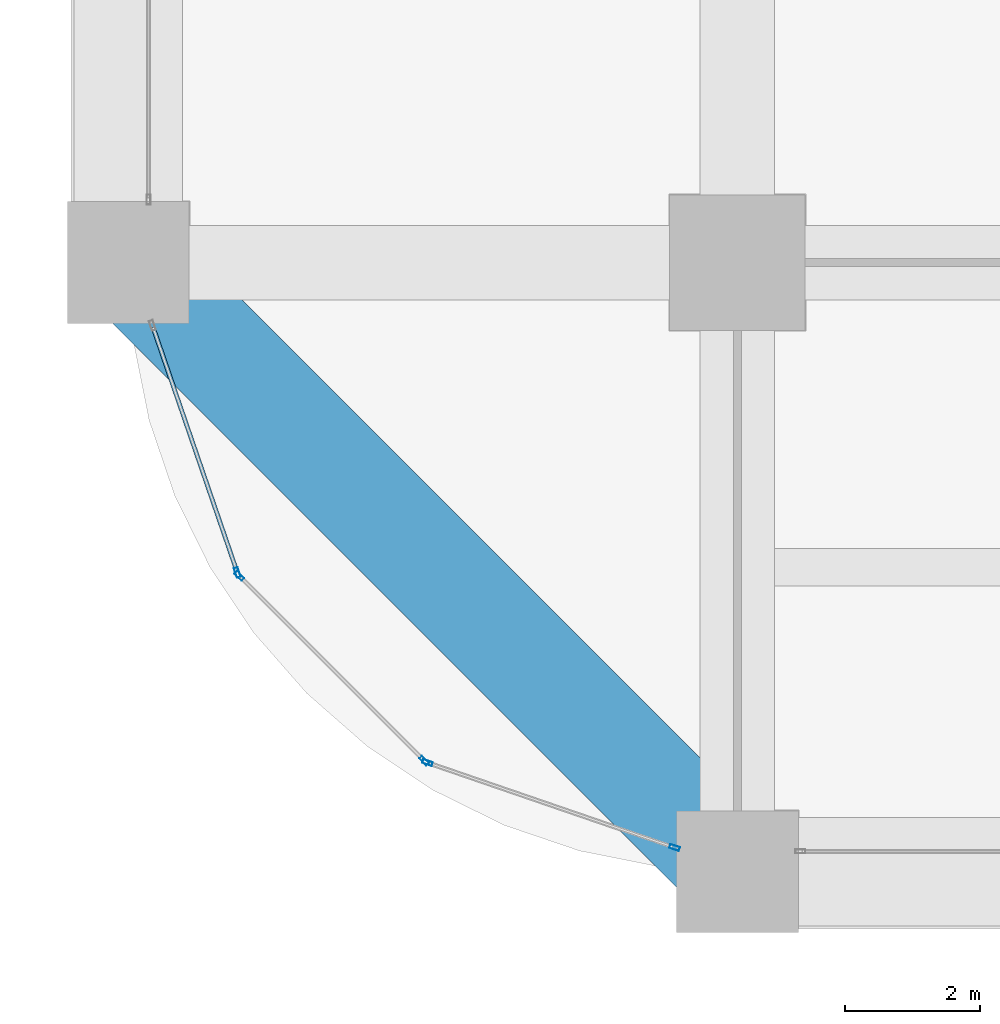
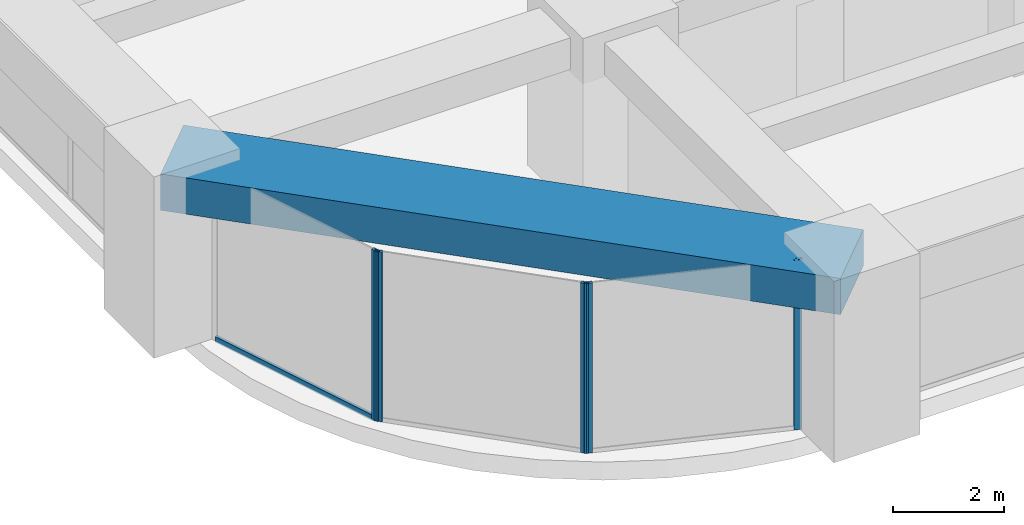
# One storey, part 2 of 35: 6 members, 1 beam, 3 elements without a shape of their own.
"""IFC4 building model written with IfcOpenShell, lengths in metres."""

from ifc_helpers import new_model, si_unit, direction, frame, origin, origin_2d, place, context, subcontext, project, spatial, rectangle, hollow_rectangle, extrude, material, material_profile, profile_set, type_object, element, aggregate, save


model = new_model("IFC4")

# Units and contexts
model_context = context("Model", 3, precision=1e-05, world=origin(), true_north=direction((0.0, 1.0)))
body_context = subcontext(model_context, "Body", "Model", "MODEL_VIEW")
ifc_project = project(units=[si_unit("LENGTHUNIT", "METRE"), si_unit("AREAUNIT", "SQUARE_METRE"), si_unit("VOLUMEUNIT", "CUBIC_METRE"), si_unit("PLANEANGLEUNIT", "RADIAN"), si_unit("MASSUNIT", "GRAM", prefix="KILO")], contexts=[model_context])

# Site, building, storey
site_placement = place(None, origin())
site = spatial("IfcSite", under=ifc_project, at=site_placement, CompositionType="ELEMENT")
building_placement = place(site_placement, origin())
building = spatial("IfcBuilding", under=site, at=building_placement, Name="Zorevar Civic Tower", CompositionType="ELEMENT")
storey_placement = place(building_placement, frame((0.0, 0.0, 162.199951171875)))
storey = spatial("IfcBuildingStorey", under=building, at=storey_placement, Name="L39", CompositionType="ELEMENT", Elevation=162.199951171875)

# Curtain wall, member
ifc_material_1 = material(Name="Dark grey solar-control glass in black aluminium frame", Category="aluminium")
curtain_wall_type = type_object("IfcCurtainWallType", Name="Curtain wall CW4 high zone", PredefinedType="NOTDEFINED", material=ifc_material_1)
curtain_wall_1_placement = place(storey_placement, origin())
curtain_wall_1 = element("IfcCurtainWall", 1, at=curtain_wall_1_placement, inside=storey, type_object=curtain_wall_type, Name="CW4 L39", PredefinedType="NOTDEFINED")
ifc_material_2 = material(Name="Aluminium, black anodised", Category="aluminium")
ifc_material_profile_1 = material_profile(ifc_material_2, hollow_rectangle(XDim=0.06005859375, YDim=0.14990234375, WallThickness=0.00390625, at=origin_2d()), Name="AL 150x60x4")
ifc_profile_set_1 = profile_set([ifc_material_profile_1], Name="Aluminium, black anodised")
member_type_1 = type_object("IfcMemberType", Name="CW4 mullion AL 150x60x4", PredefinedType="MULLION", material=ifc_profile_set_1)
member_1_placement = place(storey_placement, frame((1.610595703125, 4.420654296875, 0.0), z_axis=(0.0, 0.0, 1.0), x_axis=(0.945755772794, 0.324878466857, 0.0)))
member_1 = element("IfcMember", 2, at=member_1_placement, type_object=member_type_1, Name="CW4 mullion 2", PredefinedType="MULLION", context=body_context, shape_type="SweptSolid", body=[
    extrude(hollow_rectangle(XDim=0.06005859375, YDim=0.14990234375, WallThickness=0.00390625, at=origin_2d()), origin(), (0.0, 0.0, 1.0), 3.75),
])

# Curtain wall, members
curtain_wall_2_placement = place(storey_placement, origin())
curtain_wall_2 = element("IfcCurtainWall", 3, at=curtain_wall_2_placement, inside=storey, type_object=curtain_wall_type, Name="CW4 L39", PredefinedType="NOTDEFINED")
member_2_placement = place(storey_placement, frame((1.6416015625, 4.37109375, 0.0), z_axis=(0.0, 0.0, 1.0), x_axis=(0.707106781187, 0.707106781187, 0.0)))
member_2 = element("IfcMember", 4, at=member_2_placement, type_object=member_type_1, Name="CW4 mullion 1", PredefinedType="MULLION", context=body_context, shape_type="SweptSolid", body=[
    extrude(hollow_rectangle(XDim=0.06005859375, YDim=0.14990234375, WallThickness=0.00390625, at=origin_2d()), origin(), (0.0, 0.0, 1.0), 3.75),
])
member_3_placement = place(storey_placement, frame((4.37109375, 1.6416015625, 0.0), z_axis=(0.0, 0.0, 1.0), x_axis=(0.707106781187, 0.707106781187, 0.0)))
member_3 = element("IfcMember", 5, at=member_3_placement, type_object=member_type_1, Name="CW4 mullion 2", PredefinedType="MULLION", context=body_context, shape_type="SweptSolid", body=[
    extrude(hollow_rectangle(XDim=0.06005859375, YDim=0.14990234375, WallThickness=0.00390625, at=origin_2d()), origin(), (0.0, 0.0, 1.0), 3.75),
])
aggregate(curtain_wall_2, [member_2, member_3])

curtain_wall_3_placement = place(storey_placement, origin())
curtain_wall_3 = element("IfcCurtainWall", 6, at=curtain_wall_3_placement, inside=storey, type_object=curtain_wall_type, Name="CW4 L39", PredefinedType="NOTDEFINED")
member_4_placement = place(storey_placement, frame((4.420654296875, 1.610595703125, 0.0), z_axis=(0.0, 0.0, 1.0), x_axis=(0.324878466857, 0.945755772794, 0.0)))
member_4 = element("IfcMember", 7, at=member_4_placement, type_object=member_type_1, Name="CW4 mullion 1", PredefinedType="MULLION", context=body_context, shape_type="SweptSolid", body=[
    extrude(hollow_rectangle(XDim=0.06005859375, YDim=0.14990234375, WallThickness=0.00390625, at=origin_2d()), origin(), (0.0, 0.0, 1.0), 3.75),
])
member_5_placement = place(storey_placement, frame((8.071533203125, 0.3564453125, 0.0), z_axis=(0.0, 0.0, 1.0), x_axis=(0.324878466857, 0.945755772794, 0.0)))
member_5 = element("IfcMember", 8, at=member_5_placement, type_object=member_type_1, Name="CW4 mullion 2", PredefinedType="MULLION", context=body_context, shape_type="SweptSolid", body=[
    extrude(hollow_rectangle(XDim=0.06005859375, YDim=0.14990234375, WallThickness=0.00390625, at=origin_2d()), origin(), (0.0, 0.0, 1.0), 3.75),
])
aggregate(curtain_wall_3, [member_4, member_5])

# Member
ifc_material_3 = material(Name="Aluminium, black anodised", Category="aluminium")
ifc_material_profile_2 = material_profile(ifc_material_3, hollow_rectangle(XDim=0.06005859375, YDim=0.1201171875, WallThickness=0.0029296875, at=origin_2d()), Name="AL 120x60x3")
ifc_profile_set_2 = profile_set([ifc_material_profile_2], Name="Aluminium, black anodised")
member_type_2 = type_object("IfcMemberType", Name="CW4 transom AL 120x60x3", PredefinedType="USERDEFINED", material=ifc_profile_set_2)
member_6_placement = place(storey_placement, frame((0.3662109375, 8.043212890625, 0.030029296875), z_axis=(0.324887643602, -0.945752620422, 0.0), x_axis=(0.945752620422, 0.324887643602, 0.0)))
member_6 = element("IfcMember", 9, at=member_6_placement, type_object=member_type_2, Name="CW4 sill transom", ObjectType="TRANSOM", PredefinedType="USERDEFINED", context=body_context, shape_type="SweptSolid", body=[
    extrude(hollow_rectangle(XDim=0.06005859375, YDim=0.1201171875, WallThickness=0.0029296875, at=origin_2d()), origin(), (0.0, 0.0, 1.0), 3.800048828125),
])

aggregate(curtain_wall_1, [member_1, member_6])

# Beam
ifc_material_4 = material(Name="Concrete C50/60", Category="concrete")
ifc_material_profile_3 = material_profile(ifc_material_4, rectangle(XDim=1.60009765625, YDim=0.800048828125, at=origin_2d()), Name="RC 1600x800")
ifc_profile_set_3 = profile_set([ifc_material_profile_3], Name="Concrete C50/60")
beam_type = type_object("IfcBeamType", Name="Edge beam RC 1600x800", PredefinedType="SPANDREL", material=ifc_profile_set_3)
beam_placement = place(storey_placement, frame((0.0, 9.0, 3.35009765625), z_axis=(0.707106781187, -0.707106781187, 0.0), x_axis=(0.707106781187, 0.707106781187, 0.0)))
element("IfcBeam", 10, at=beam_placement, inside=storey, type_object=beam_type, Name="Corner edge beam L40", PredefinedType="SPANDREL", context=body_context, shape_type="SweptSolid", body=[
    extrude(rectangle(XDim=1.60009765625, YDim=0.800048828125, at=origin_2d()), origin(), (0.0, 0.0, 1.0), 12.72802734375),
])

save(model, "model.ifc")
